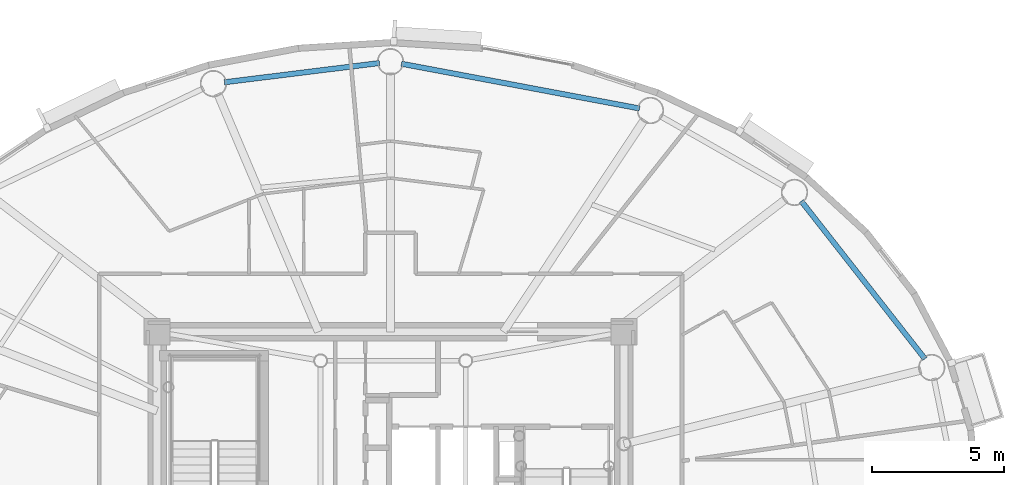
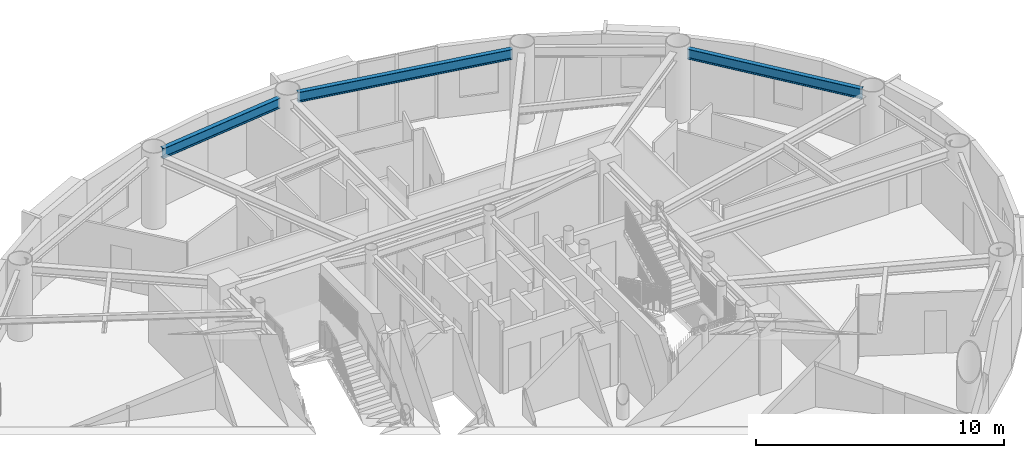
# One storey, part 3 of 17: 3 beams.
"""IFC4 building model written with IfcOpenShell, lengths in metres."""

from ifc_helpers import new_model, si_unit, direction, frame, origin, origin_2d, place, context, subcontext, project, spatial, i_section, extrude, material, material_profile, profile_set, type_object, element, save


model = new_model("IFC4")

# Units and contexts
model_context = context("Model", 3, precision=1e-05, world=origin(), true_north=direction((0.0, 1.0)))
body_context = subcontext(model_context, "Body", "Model", "MODEL_VIEW")
ifc_project = project(units=[si_unit("LENGTHUNIT", "METRE"), si_unit("AREAUNIT", "SQUARE_METRE"), si_unit("VOLUMEUNIT", "CUBIC_METRE"), si_unit("PLANEANGLEUNIT", "RADIAN"), si_unit("MASSUNIT", "GRAM", prefix="KILO")], contexts=[model_context])

# Site, building, storey
site_placement = place(None, origin())
site = spatial("IfcSite", under=ifc_project, at=site_placement, CompositionType="ELEMENT")
building_placement = place(site_placement, origin())
building = spatial("IfcBuilding", under=site, at=building_placement, Name="Linh Dai School and Residence Tower", CompositionType="ELEMENT")
storey_placement = place(building_placement, frame((0.0, 0.0, 280.5)))
storey = spatial("IfcBuildingStorey", under=building, at=storey_placement, Name="L69", CompositionType="ELEMENT", Elevation=280.5)

# Beams
ifc_material = material(Name="Structural Steel S355JR", Category="steel")
ifc_material_profile = material_profile(ifc_material, i_section(OverallWidth=0.199951171875, OverallDepth=0.5, WebThickness=0.01025390625, FlangeThickness=0.01611328125, FilletRadius=0.02099609375, at=origin_2d()), Name="IPE 500")
ifc_profile_set = profile_set([ifc_material_profile], Name="Structural Steel S355JR")
beam_type = type_object("IfcBeamType", Name="BM-RB50", PredefinedType="BEAM", material=ifc_profile_set)
beam_1_placement = place(storey_placement, frame((56.259521484375, 32.425048828125, 3.25), z_axis=(-0.616882739554, 0.787055071542, 0.0), x_axis=(-0.787055071542, -0.616882739554, 0.0)))
element("IfcBeam", 1, at=beam_1_placement, inside=storey, type_object=beam_type, Name="L69 Perimeter Elliptical Ring Beam 02", PredefinedType="BEAM", context=body_context, shape_type="SweptSolid", body=[
    extrude(i_section(OverallWidth=0.199951171875, OverallDepth=0.5, WebThickness=0.01025390625, FlangeThickness=0.01611328125, FilletRadius=0.02099609375, at=origin_2d()), origin(), (0.0, 0.0, 1.0), 7.59521484375),
])
beam_2_placement = place(storey_placement, frame((45.441650390625, 41.916259765625, 3.25), z_axis=(-0.982805333306, 0.184644731378, 0.0), x_axis=(-0.184644731378, -0.982805333306, 0.0)))
element("IfcBeam", 2, at=beam_2_placement, inside=storey, type_object=beam_type, Name="L69 Perimeter Elliptical Ring Beam 04", PredefinedType="BEAM", context=body_context, shape_type="SweptSolid", body=[
    extrude(i_section(OverallWidth=0.199951171875, OverallDepth=0.5, WebThickness=0.01025390625, FlangeThickness=0.01611328125, FilletRadius=0.02099609375, at=origin_2d()), origin(), (0.0, 0.0, 1.0), 9.186767578125),
])
beam_3_placement = place(storey_placement, frame((35.583251953125, 43.638427734375, 3.25), z_axis=(-0.992399134443, -0.123060789678, 0.0), x_axis=(0.123060789678, -0.992399134443, 0.0)))
element("IfcBeam", 3, at=beam_3_placement, inside=storey, type_object=beam_type, Name="L69 Perimeter Elliptical Ring Beam 05", PredefinedType="BEAM", context=body_context, shape_type="SweptSolid", body=[
    extrude(i_section(OverallWidth=0.199951171875, OverallDepth=0.5, WebThickness=0.01025390625, FlangeThickness=0.01611328125, FilletRadius=0.02099609375, at=origin_2d()), origin(), (0.0, 0.0, 1.0), 5.923828125),
])

save(model, "model.ifc")
